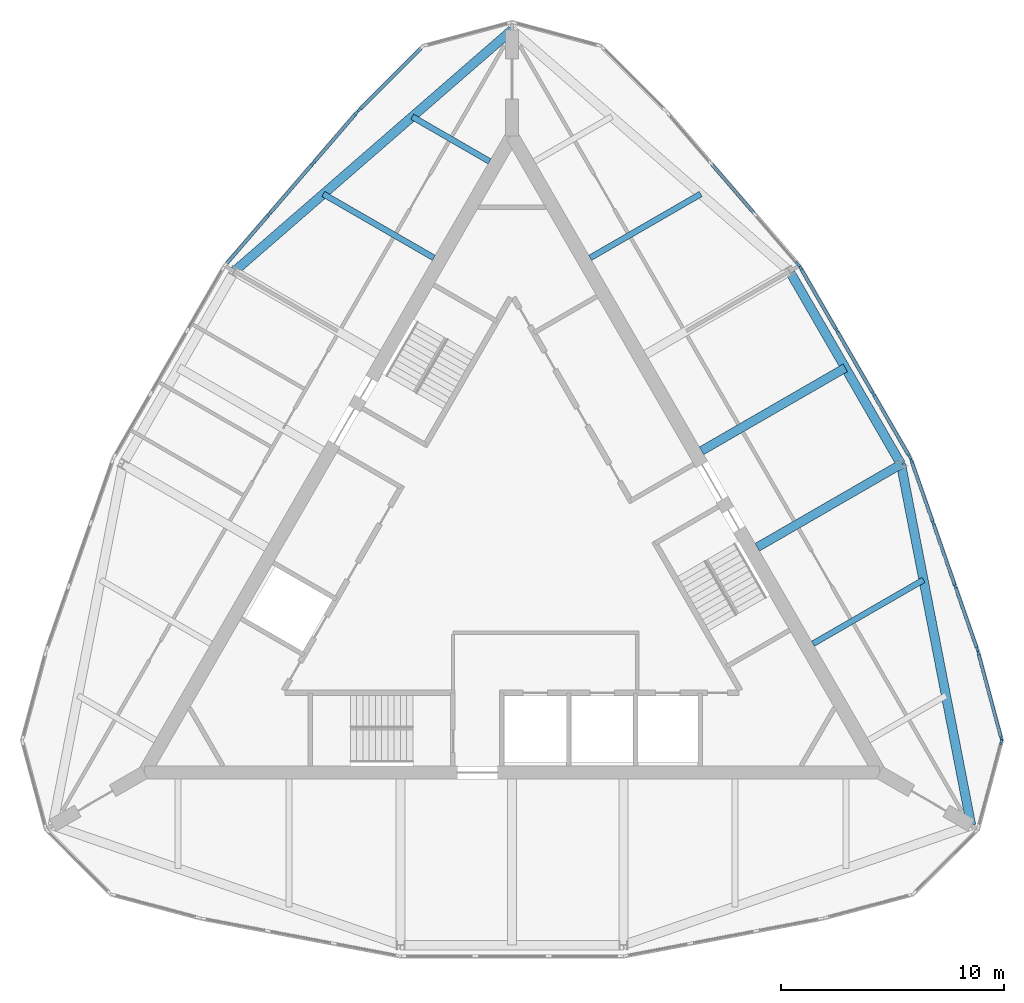
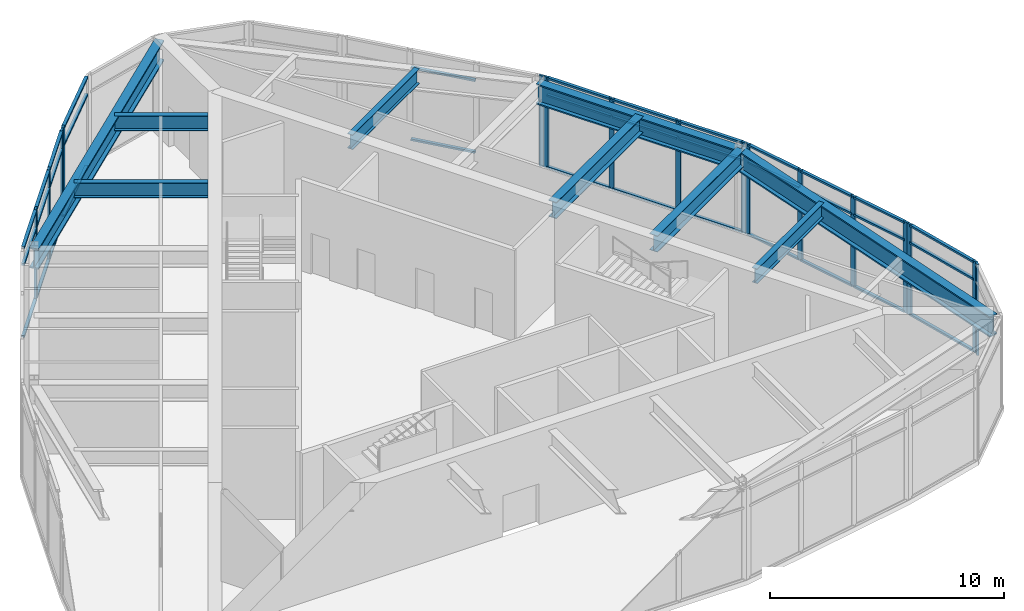
# One storey, part 3 of 9: 51 members, 9 beams, 7 elements without a shape of their own.
"""IFC4 building model written with IfcOpenShell, lengths in metres."""

from ifc_helpers import new_model, si_unit, direction, frame, origin, origin_2d, place, context, subcontext, project, spatial, rectangle, i_section, extrude, material, material_profile, profile_set, type_object, element, aggregate, save


model = new_model("IFC4")

# Units and contexts
model_context = context("Model", 3, precision=1e-05, world=origin(), true_north=direction((0.0, 1.0)))
body_context = subcontext(model_context, "Body", "Model", "MODEL_VIEW")
ifc_project = project(units=[si_unit("LENGTHUNIT", "METRE"), si_unit("AREAUNIT", "SQUARE_METRE"), si_unit("VOLUMEUNIT", "CUBIC_METRE"), si_unit("PLANEANGLEUNIT", "RADIAN"), si_unit("MASSUNIT", "GRAM", prefix="KILO")], contexts=[model_context])

# Site, building, storey
site_placement = place(None, origin())
site = spatial("IfcSite", under=ifc_project, at=site_placement, CompositionType="ELEMENT")
building_placement = place(site_placement, origin())
building = spatial("IfcBuilding", under=site, at=building_placement, Name="Trikona Tower", CompositionType="ELEMENT")
storey_placement = place(building_placement, frame((0.0, 0.0, 292.800048828125)))
storey = spatial("IfcBuildingStorey", under=building, at=storey_placement, Name="L76", CompositionType="ELEMENT", Elevation=292.800048828125)

# Curtain wall, member
ifc_material_1 = material(Name="Aluminium curtain wall system", Category="aluminium")
curtain_wall_type = type_object("IfcCurtainWallType", Name="Curtain wall OB", PredefinedType="NOTDEFINED", material=ifc_material_1)
curtain_wall_1_placement = place(storey_placement, origin())
curtain_wall_1 = element("IfcCurtainWall", 1, at=curtain_wall_1_placement, inside=storey, type_object=curtain_wall_type, Name="Curtain wall OB L76", PredefinedType="NOTDEFINED")
ifc_material_2 = material(Name="Aluminium mullion, pale anodised", Category="aluminium")
ifc_material_profile_1 = material_profile(ifc_material_2, rectangle(XDim=0.10009765625, YDim=0.25, at=origin_2d()), Name="MUL-OB")
ifc_profile_set_1 = profile_set([ifc_material_profile_1], Name="Aluminium mullion, pale anodised")
member_type_1 = type_object("IfcMemberType", Name="Mullion OB 100x250", PredefinedType="MULLION", material=ifc_profile_set_1)
member_1_placement = place(storey_placement, frame((21.957763671875, -8.163330078125, 0.0), z_axis=(0.0, 0.0, 1.0), x_axis=(-0.965923448705, 0.258827918204, 0.0)))
member_1 = element("IfcMember", 2, at=member_1_placement, type_object=member_type_1, Name="CW-OB mullion 2", PredefinedType="MULLION", context=body_context, shape_type="SweptSolid", body=[
    extrude(rectangle(XDim=0.10009765625, YDim=0.25, at=origin_2d()), origin(), (0.0, 0.0, 1.0), 4.75),
])
aggregate(curtain_wall_1, [member_1])

# Curtain wall, members
curtain_wall_2_placement = place(storey_placement, origin())
curtain_wall_2 = element("IfcCurtainWall", 3, at=curtain_wall_2_placement, inside=storey, type_object=curtain_wall_type, Name="Curtain wall OB L76", PredefinedType="NOTDEFINED")
member_2_placement = place(storey_placement, frame((21.957763671875, -8.00244140625, 0.0), z_axis=(0.0, 0.0, 1.0), x_axis=(-0.965921800259, -0.258834069983, 0.0)))
member_2 = element("IfcMember", 4, at=member_2_placement, type_object=member_type_1, Name="CW-OB mullion 1", PredefinedType="MULLION", context=body_context, shape_type="SweptSolid", body=[
    extrude(rectangle(XDim=0.10009765625, YDim=0.25, at=origin_2d()), origin(), (0.0, 0.0, 1.0), 4.75),
])
member_3_placement = place(storey_placement, frame((20.931884765625, -4.173583984375, 0.0), z_axis=(0.0, 0.0, 1.0), x_axis=(-0.965921800259, -0.258834069983, 0.0)))
member_3 = element("IfcMember", 5, at=member_3_placement, type_object=member_type_1, Name="CW-OB mullion 2", PredefinedType="MULLION", context=body_context, shape_type="SweptSolid", body=[
    extrude(rectangle(XDim=0.10009765625, YDim=0.25, at=origin_2d()), origin(), (0.0, 0.0, 1.0), 4.75),
])

curtain_wall_3_placement = place(storey_placement, origin())
curtain_wall_3 = element("IfcCurtainWall", 6, at=curtain_wall_3_placement, inside=storey, type_object=curtain_wall_type, Name="Curtain wall OB L76", PredefinedType="NOTDEFINED")
member_4_placement = place(storey_placement, frame((20.869384765625, -3.970703125, 0.0), z_axis=(0.0, 0.0, 1.0), x_axis=(-0.944137368145, -0.329552165935, 0.0)))
member_4 = element("IfcMember", 7, at=member_4_placement, type_object=member_type_1, Name="CW-OB mullion 1", PredefinedType="MULLION", context=body_context, shape_type="SweptSolid", body=[
    extrude(rectangle(XDim=0.10009765625, YDim=0.25, at=origin_2d()), origin(), (0.0, 0.0, 1.0), 4.75),
])
member_5_placement = place(storey_placement, frame((19.892578125, -1.17236328125, 0.0), z_axis=(0.0, 0.0, 1.0), x_axis=(-0.944137368145, -0.329552165935, 0.0)))
member_5 = element("IfcMember", 8, at=member_5_placement, type_object=member_type_1, Name="CW-OB mullion 2", PredefinedType="MULLION", context=body_context, shape_type="SweptSolid", body=[
    extrude(rectangle(XDim=0.10009765625, YDim=0.25, at=origin_2d()), origin(), (0.0, 0.0, 1.0), 4.75),
])
member_6_placement = place(storey_placement, frame((18.8994140625, 1.6728515625, 0.0), z_axis=(0.0, 0.0, 1.0), x_axis=(-0.944137368145, -0.329552165935, 0.0)))
member_6 = element("IfcMember", 9, at=member_6_placement, type_object=member_type_1, Name="CW-OB mullion 3", PredefinedType="MULLION", context=body_context, shape_type="SweptSolid", body=[
    extrude(rectangle(XDim=0.10009765625, YDim=0.25, at=origin_2d()), origin(), (0.0, 0.0, 1.0), 4.75),
])
member_7_placement = place(storey_placement, frame((17.9228515625, 4.470947265625, 0.0), z_axis=(0.0, 0.0, 1.0), x_axis=(-0.944137368145, -0.329552165935, 0.0)))
member_7 = element("IfcMember", 10, at=member_7_placement, type_object=member_type_1, Name="CW-OB mullion 4", PredefinedType="MULLION", context=body_context, shape_type="SweptSolid", body=[
    extrude(rectangle(XDim=0.10009765625, YDim=0.25, at=origin_2d()), origin(), (0.0, 0.0, 1.0), 4.75),
])

curtain_wall_4_placement = place(storey_placement, origin())
curtain_wall_4 = element("IfcCurtainWall", 11, at=curtain_wall_4_placement, inside=storey, type_object=curtain_wall_type, Name="Curtain wall OB L76", PredefinedType="NOTDEFINED")
member_8_placement = place(storey_placement, frame((17.83935546875, 4.653076171875, 0.0), z_axis=(0.0, 0.0, 1.0), x_axis=(-0.866022089219, -0.500005740951, 0.0)))
member_8 = element("IfcMember", 12, at=member_8_placement, type_object=member_type_1, Name="CW-OB mullion 1", PredefinedType="MULLION", context=body_context, shape_type="SweptSolid", body=[
    extrude(rectangle(XDim=0.10009765625, YDim=0.25, at=origin_2d()), origin(), (0.0, 0.0, 1.0), 4.75),
])
member_9_placement = place(storey_placement, frame((16.217529296875, 7.4619140625, 0.0), z_axis=(0.0, 0.0, 1.0), x_axis=(-0.866022089219, -0.500005740951, 0.0)))
member_9 = element("IfcMember", 13, at=member_9_placement, type_object=member_type_1, Name="CW-OB mullion 2", PredefinedType="MULLION", context=body_context, shape_type="SweptSolid", body=[
    extrude(rectangle(XDim=0.10009765625, YDim=0.25, at=origin_2d()), origin(), (0.0, 0.0, 1.0), 4.75),
])
member_10_placement = place(storey_placement, frame((14.571044921875, 10.31396484375, 0.0), z_axis=(0.0, 0.0, 1.0), x_axis=(-0.866022089219, -0.500005740951, 0.0)))
member_10 = element("IfcMember", 14, at=member_10_placement, type_object=member_type_1, Name="CW-OB mullion 3", PredefinedType="MULLION", context=body_context, shape_type="SweptSolid", body=[
    extrude(rectangle(XDim=0.10009765625, YDim=0.25, at=origin_2d()), origin(), (0.0, 0.0, 1.0), 4.75),
])
member_11_placement = place(storey_placement, frame((12.94921875, 13.122802734375, 0.0), z_axis=(0.0, 0.0, 1.0), x_axis=(-0.866022089219, -0.500005740951, 0.0)))
member_11 = element("IfcMember", 15, at=member_11_placement, type_object=member_type_1, Name="CW-OB mullion 4", PredefinedType="MULLION", context=body_context, shape_type="SweptSolid", body=[
    extrude(rectangle(XDim=0.10009765625, YDim=0.25, at=origin_2d()), origin(), (0.0, 0.0, 1.0), 4.75),
])

# Curtain wall, member
curtain_wall_5_placement = place(storey_placement, origin())
curtain_wall_5 = element("IfcCurtainWall", 16, at=curtain_wall_5_placement, inside=storey, type_object=curtain_wall_type, Name="Curtain wall OB L76", PredefinedType="NOTDEFINED")
member_12_placement = place(storey_placement, frame((12.833251953125, 13.2861328125, 0.0), z_axis=(0.0, 0.0, 1.0), x_axis=(-0.757475219973, -0.652863914707, 0.0)))
member_12 = element("IfcMember", 17, at=member_12_placement, type_object=member_type_1, Name="CW-OB mullion 1", PredefinedType="MULLION", context=body_context, shape_type="SweptSolid", body=[
    extrude(rectangle(XDim=0.10009765625, YDim=0.25, at=origin_2d()), origin(), (0.0, 0.0, 1.0), 4.75),
])

curtain_wall_6_placement = place(storey_placement, origin())
curtain_wall_6 = element("IfcCurtainWall", 18, at=curtain_wall_6_placement, inside=storey, type_object=curtain_wall_type, Name="Curtain wall OB L76", PredefinedType="NOTDEFINED")
member_13_placement = place(storey_placement, frame((-6.8515625, 20.21435546875, 0.0), z_axis=(0.0, 0.0, 1.0), x_axis=(0.707106781187, -0.707106781187, 0.0)))
member_13 = element("IfcMember", 19, at=member_13_placement, type_object=member_type_1, Name="CW-OB mullion 2", PredefinedType="MULLION", context=body_context, shape_type="SweptSolid", body=[
    extrude(rectangle(XDim=0.10009765625, YDim=0.25, at=origin_2d()), origin(), (0.0, 0.0, 1.0), 4.75),
])

# Curtain wall, members
curtain_wall_7_placement = place(storey_placement, origin())
curtain_wall_7 = element("IfcCurtainWall", 20, at=curtain_wall_7_placement, inside=storey, type_object=curtain_wall_type, Name="Curtain wall OB L76", PredefinedType="NOTDEFINED")
member_14_placement = place(storey_placement, frame((-6.99609375, 20.058837890625, 0.0), z_axis=(0.0, 0.0, 1.0), x_axis=(0.757475219973, -0.652863914707, 0.0)))
member_14 = element("IfcMember", 21, at=member_14_placement, type_object=member_type_1, Name="CW-OB mullion 1", PredefinedType="MULLION", context=body_context, shape_type="SweptSolid", body=[
    extrude(rectangle(XDim=0.10009765625, YDim=0.25, at=origin_2d()), origin(), (0.0, 0.0, 1.0), 4.75),
])
member_15_placement = place(storey_placement, frame((-8.930908203125, 17.813720703125, 0.0), z_axis=(0.0, 0.0, 1.0), x_axis=(0.757475219973, -0.652863914707, 0.0)))
member_15 = element("IfcMember", 22, at=member_15_placement, type_object=member_type_1, Name="CW-OB mullion 2", PredefinedType="MULLION", context=body_context, shape_type="SweptSolid", body=[
    extrude(rectangle(XDim=0.10009765625, YDim=0.25, at=origin_2d()), origin(), (0.0, 0.0, 1.0), 4.75),
])
member_16_placement = place(storey_placement, frame((-10.8984375, 15.531005859375, 0.0), z_axis=(0.0, 0.0, 1.0), x_axis=(0.757475219973, -0.652863914707, 0.0)))
member_16 = element("IfcMember", 23, at=member_16_placement, type_object=member_type_1, Name="CW-OB mullion 3", PredefinedType="MULLION", context=body_context, shape_type="SweptSolid", body=[
    extrude(rectangle(XDim=0.10009765625, YDim=0.25, at=origin_2d()), origin(), (0.0, 0.0, 1.0), 4.75),
])

# Beams
ifc_material_3 = material(Name="Steel ASTM A992 Grade 50", Category="steel")
ifc_material_profile_2 = material_profile(ifc_material_3, i_section(OverallWidth=0.2666015625, OverallDepth=0.76953125, WebThickness=0.015625, FlangeThickness=0.025390625, at=origin_2d()), Name="W30X132")
ifc_profile_set_2 = profile_set([ifc_material_profile_2], Name="Steel ASTM A992 Grade 50")
beam_type_1 = type_object("IfcBeamType", Name="Steel beam W30x132 (wedge)", PredefinedType="BEAM", material=ifc_profile_set_2)
for number, where, z_axis, x_axis, name in (
    (24, (13.509765625, -3.7470703125, 4.365234375), (0.866025872957, 0.499999187369, 0.0), (-0.499999187369, 0.866025872957, 0.0), "Floor beam L77 F2 u-10"),
    (25, (3.509765625, 13.573486328125, 4.365234375), (0.866044330199, 0.499967217055, 0.0), (-0.499967217055, 0.866044330199, 0.0), "Floor beam L77 F2 u10"),
):
    element("IfcBeam", number, at=place(storey_placement, frame(where, z_axis=z_axis, x_axis=x_axis)), inside=storey, type_object=beam_type_1, Name=name, PredefinedType="BEAM", context=body_context, shape_type="SweptSolid", body=[
        extrude(i_section(OverallWidth=0.2666015625, OverallDepth=0.76953125, WebThickness=0.015625, FlangeThickness=0.025390625, at=origin_2d()), origin(), (0.0, 0.0, 1.0), 5.7275390625),
    ])
beam_1_placement = place(storey_placement, frame((-1.009765625, 17.903564453125, 4.365234375), z_axis=(-0.866025209122, 0.500000337164, 0.0), x_axis=(-0.500000337164, -0.866025209122, 0.0)))
element("IfcBeam", 26, at=beam_1_placement, inside=storey, type_object=beam_type_1, Name="Floor beam L77 F3 u-15", PredefinedType="BEAM", context=body_context, shape_type="SweptSolid", body=[
    extrude(i_section(OverallWidth=0.2666015625, OverallDepth=0.76953125, WebThickness=0.015625, FlangeThickness=0.025390625, at=origin_2d()), origin(), (0.0, 0.0, 1.0), 4.00537109375),
])
beam_2_placement = place(storey_placement, frame((-3.509765625, 13.573486328125, 4.365234375), z_axis=(-0.866044330199, 0.499967217055, 0.0), x_axis=(-0.499967217055, -0.866044330199, 0.0)))
element("IfcBeam", 27, at=beam_2_placement, inside=storey, type_object=beam_type_1, Name="Floor beam L77 F3 u-10", PredefinedType="BEAM", context=body_context, shape_type="SweptSolid", body=[
    extrude(i_section(OverallWidth=0.2666015625, OverallDepth=0.76953125, WebThickness=0.015625, FlangeThickness=0.025390625, at=origin_2d()), origin(), (0.0, 0.0, 1.0), 5.7275390625),
])
ifc_material_4 = material(Name="Steel ASTM A992 Grade 50", Category="steel")
ifc_material_profile_3 = material_profile(ifc_material_4, i_section(OverallWidth=0.398681640625, OverallDepth=0.85595703125, WebThickness=0.01806640625, FlangeThickness=0.029296875, at=origin_2d()), Name="W33X201")
ifc_profile_set_3 = profile_set([ifc_material_profile_3], Name="Steel ASTM A992 Grade 50")
beam_type_2 = type_object("IfcBeamType", Name="Steel beam W33x201 (top)", PredefinedType="BEAM", material=ifc_profile_set_3)
for number, where, z_axis, x_axis, name in (
    (28, (11.009765625, 0.5830078125, 4.322021484375), (0.866018036629, 0.50001276007, 0.0), (-0.50001276007, 0.866018036629, 0.0), "Floor beam L77 F2 u-5"),
    (29, (8.509765625, 4.9130859375, 4.322021484375), (0.866018036629, 0.50001276007, 0.0), (-0.50001276007, 0.866018036629, 0.0), "Floor beam L77 F2 u0"),
):
    element("IfcBeam", number, at=place(storey_placement, frame(where, z_axis=z_axis, x_axis=x_axis)), inside=storey, type_object=beam_type_2, Name=name, PredefinedType="BEAM", context=body_context, shape_type="SweptSolid", body=[
        extrude(i_section(OverallWidth=0.398681640625, OverallDepth=0.85595703125, WebThickness=0.01806640625, FlangeThickness=0.029296875, at=origin_2d()), origin(), (0.0, 0.0, 1.0), 7.449462890625),
    ])
ifc_material_5 = material(Name="Steel ASTM A992 Grade 50", Category="steel")
ifc_material_profile_4 = material_profile(ifc_material_5, i_section(OverallWidth=0.41650390625, OverallDepth=1.0693359375, WebThickness=0.0390625, FlangeThickness=0.070068359375, at=origin_2d()), Name="W40X503")
ifc_profile_set_4 = profile_set([ifc_material_profile_4], Name="Steel ASTM A992 Grade 50")
beam_type_3 = type_object("IfcBeamType", Name="Steel beam W40x503 (crown spandrel)", PredefinedType="SPANDREL", material=ifc_profile_set_4)
beam_3_placement = place(storey_placement, frame((20.6103515625, -11.8994140625, 4.21533203125), z_axis=(-0.190738651496, 0.981640854297, 0.0), x_axis=(-0.981640854297, -0.190738651496, 0.0)))
element("IfcBeam", 30, at=beam_3_placement, inside=storey, type_object=beam_type_3, Name="Spandrel beam L77 F2-1", PredefinedType="SPANDREL", context=body_context, shape_type="SweptSolid", body=[
    extrude(i_section(OverallWidth=0.41650390625, OverallDepth=1.0693359375, WebThickness=0.0390625, FlangeThickness=0.070068359375, at=origin_2d()), origin(), (0.0, 0.0, 1.0), 16.510498046875),
])
beam_4_placement = place(storey_placement, frame((17.461181640625, 4.307861328125, 4.21533203125), z_axis=(-0.500004234368, 0.866022959057, 0.0), x_axis=(-0.866022959057, -0.500004234368, 0.0)))
element("IfcBeam", 31, at=beam_4_placement, inside=storey, type_object=beam_type_3, Name="Spandrel beam L77 F2-2", PredefinedType="SPANDREL", context=body_context, shape_type="SweptSolid", body=[
    extrude(i_section(OverallWidth=0.41650390625, OverallDepth=1.0693359375, WebThickness=0.0390625, FlangeThickness=0.070068359375, at=origin_2d()), origin(), (0.0, 0.0, 1.0), 10.0),
])
beam_5_placement = place(storey_placement, frame((0.0, 23.798583984375, 4.21533203125), z_axis=(-0.754762765652, -0.655997841144, 0.0), x_axis=(0.655997841144, -0.754762765652, 0.0)))
element("IfcBeam", 32, at=beam_5_placement, inside=storey, type_object=beam_type_3, Name="Spandrel beam L77 F3-1", PredefinedType="SPANDREL", context=body_context, shape_type="SweptSolid", body=[
    extrude(i_section(OverallWidth=0.41650390625, OverallDepth=1.0693359375, WebThickness=0.0390625, FlangeThickness=0.070068359375, at=origin_2d()), origin(), (0.0, 0.0, 1.0), 16.510009765625),
])

# Member
ifc_material_6 = material(Name="Aluminium transom, pale anodised", Category="aluminium")
ifc_material_profile_5 = material_profile(ifc_material_6, rectangle(XDim=0.14990234375, YDim=0.10009765625, at=origin_2d()), Name="TRN-OB")
ifc_profile_set_5 = profile_set([ifc_material_profile_5], Name="Aluminium transom, pale anodised")
member_type_2 = type_object("IfcMemberType", Name="Transom OB 100x150", PredefinedType="USERDEFINED", material=ifc_profile_set_5)
member_17_placement = place(storey_placement, frame((21.94482421875, -7.9541015625, 0.050048828125), z_axis=(-0.258810832585, 0.965928026789, 0.0), x_axis=(-0.965928026789, -0.258810832585, 0.0)))
member_17 = element("IfcMember", 33, at=member_17_placement, type_object=member_type_2, Name="CW-OB transom 1.1", ObjectType="TRANSOM", PredefinedType="USERDEFINED", context=body_context, shape_type="SweptSolid", body=[
    extrude(rectangle(XDim=0.14990234375, YDim=0.10009765625, at=origin_2d()), origin(), (0.0, 0.0, 1.0), 3.86376953125),
])

member_18_placement = place(storey_placement, frame((21.94482421875, -7.9541015625, 3.800048828125), z_axis=(-0.258810832585, 0.965928026789, 0.0), x_axis=(-0.965928026789, -0.258810832585, 0.0)))
member_18 = element("IfcMember", 34, at=member_18_placement, type_object=member_type_2, Name="CW-OB transom 1.2", ObjectType="TRANSOM", PredefinedType="USERDEFINED", context=body_context, shape_type="SweptSolid", body=[
    extrude(rectangle(XDim=0.14990234375, YDim=0.10009765625, at=origin_2d()), origin(), (0.0, 0.0, 1.0), 3.86376953125),
])

member_19_placement = place(storey_placement, frame((21.94482421875, -7.9541015625, 4.699951171875), z_axis=(-0.258810832585, 0.965928026789, 0.0), x_axis=(-0.965928026789, -0.258810832585, 0.0)))
member_19 = element("IfcMember", 35, at=member_19_placement, type_object=member_type_2, Name="CW-OB transom 1.3", ObjectType="TRANSOM", PredefinedType="USERDEFINED", context=body_context, shape_type="SweptSolid", body=[
    extrude(rectangle(XDim=0.14990234375, YDim=0.10009765625, at=origin_2d()), origin(), (0.0, 0.0, 1.0), 3.86376953125),
])

aggregate(curtain_wall_2, [member_2, member_3, member_17, member_18, member_19])

member_20_placement = place(storey_placement, frame((20.852783203125, -3.92333984375, 0.050048828125), z_axis=(-0.329522402008, 0.944147756749, 0.0), x_axis=(-0.944147756749, -0.329522402008, 0.0)))
member_20 = element("IfcMember", 36, at=member_20_placement, type_object=member_type_2, Name="CW-OB transom 1.1", ObjectType="TRANSOM", PredefinedType="USERDEFINED", context=body_context, shape_type="SweptSolid", body=[
    extrude(rectangle(XDim=0.14990234375, YDim=0.10009765625, at=origin_2d()), origin(), (0.0, 0.0, 1.0), 2.863525390625),
])

member_21_placement = place(storey_placement, frame((20.852783203125, -3.92333984375, 3.800048828125), z_axis=(-0.329522402008, 0.944147756749, 0.0), x_axis=(-0.944147756749, -0.329522402008, 0.0)))
member_21 = element("IfcMember", 37, at=member_21_placement, type_object=member_type_2, Name="CW-OB transom 1.2", ObjectType="TRANSOM", PredefinedType="USERDEFINED", context=body_context, shape_type="SweptSolid", body=[
    extrude(rectangle(XDim=0.14990234375, YDim=0.10009765625, at=origin_2d()), origin(), (0.0, 0.0, 1.0), 2.863525390625),
])

member_22_placement = place(storey_placement, frame((20.852783203125, -3.92333984375, 4.699951171875), z_axis=(-0.329522402008, 0.944147756749, 0.0), x_axis=(-0.944147756749, -0.329522402008, 0.0)))
member_22 = element("IfcMember", 38, at=member_22_placement, type_object=member_type_2, Name="CW-OB transom 1.3", ObjectType="TRANSOM", PredefinedType="USERDEFINED", context=body_context, shape_type="SweptSolid", body=[
    extrude(rectangle(XDim=0.14990234375, YDim=0.10009765625, at=origin_2d()), origin(), (0.0, 0.0, 1.0), 2.863525390625),
])

member_23_placement = place(storey_placement, frame((19.876220703125, -1.125244140625, 0.050048828125), z_axis=(-0.329544133465, 0.944140171849, 0.0), x_axis=(-0.944140171849, -0.329544133465, 0.0)))
member_23 = element("IfcMember", 39, at=member_23_placement, type_object=member_type_2, Name="CW-OB transom 2.1", ObjectType="TRANSOM", PredefinedType="USERDEFINED", context=body_context, shape_type="SweptSolid", body=[
    extrude(rectangle(XDim=0.14990234375, YDim=0.10009765625, at=origin_2d()), origin(), (0.0, 0.0, 1.0), 2.913818359375),
])

member_24_placement = place(storey_placement, frame((19.876220703125, -1.125244140625, 3.800048828125), z_axis=(-0.329544133465, 0.944140171849, 0.0), x_axis=(-0.944140171849, -0.329544133465, 0.0)))
member_24 = element("IfcMember", 40, at=member_24_placement, type_object=member_type_2, Name="CW-OB transom 2.2", ObjectType="TRANSOM", PredefinedType="USERDEFINED", context=body_context, shape_type="SweptSolid", body=[
    extrude(rectangle(XDim=0.14990234375, YDim=0.10009765625, at=origin_2d()), origin(), (0.0, 0.0, 1.0), 2.913818359375),
])

member_25_placement = place(storey_placement, frame((19.876220703125, -1.125244140625, 4.699951171875), z_axis=(-0.329544133465, 0.944140171849, 0.0), x_axis=(-0.944140171849, -0.329544133465, 0.0)))
member_25 = element("IfcMember", 41, at=member_25_placement, type_object=member_type_2, Name="CW-OB transom 2.3", ObjectType="TRANSOM", PredefinedType="USERDEFINED", context=body_context, shape_type="SweptSolid", body=[
    extrude(rectangle(XDim=0.14990234375, YDim=0.10009765625, at=origin_2d()), origin(), (0.0, 0.0, 1.0), 2.913818359375),
])

member_26_placement = place(storey_placement, frame((18.883056640625, 1.719970703125, 0.050048828125), z_axis=(-0.329571871193, 0.944130489773, 0.0), x_axis=(-0.944130489773, -0.329571871193, 0.0)))
member_26 = element("IfcMember", 42, at=member_26_placement, type_object=member_type_2, Name="CW-OB transom 3.1", ObjectType="TRANSOM", PredefinedType="USERDEFINED", context=body_context, shape_type="SweptSolid", body=[
    extrude(rectangle(XDim=0.14990234375, YDim=0.10009765625, at=origin_2d()), origin(), (0.0, 0.0, 1.0), 2.86376953125),
])

member_27_placement = place(storey_placement, frame((18.883056640625, 1.719970703125, 3.800048828125), z_axis=(-0.329571871193, 0.944130489773, 0.0), x_axis=(-0.944130489773, -0.329571871193, 0.0)))
member_27 = element("IfcMember", 43, at=member_27_placement, type_object=member_type_2, Name="CW-OB transom 3.2", ObjectType="TRANSOM", PredefinedType="USERDEFINED", context=body_context, shape_type="SweptSolid", body=[
    extrude(rectangle(XDim=0.14990234375, YDim=0.10009765625, at=origin_2d()), origin(), (0.0, 0.0, 1.0), 2.86376953125),
])

member_28_placement = place(storey_placement, frame((18.883056640625, 1.719970703125, 4.699951171875), z_axis=(-0.329571871193, 0.944130489773, 0.0), x_axis=(-0.944130489773, -0.329571871193, 0.0)))
member_28 = element("IfcMember", 44, at=member_28_placement, type_object=member_type_2, Name="CW-OB transom 3.3", ObjectType="TRANSOM", PredefinedType="USERDEFINED", context=body_context, shape_type="SweptSolid", body=[
    extrude(rectangle(XDim=0.14990234375, YDim=0.10009765625, at=origin_2d()), origin(), (0.0, 0.0, 1.0), 2.86376953125),
])

aggregate(curtain_wall_3, [member_4, member_5, member_6, member_7, member_20, member_21, member_22, member_23, member_24, member_25, member_26, member_27, member_28])

member_29_placement = place(storey_placement, frame((17.814208984375, 4.6962890625, 0.050048828125), z_axis=(-0.499973465047, 0.866040723205, 0.0), x_axis=(-0.866040723205, -0.499973465047, 0.0)))
member_29 = element("IfcMember", 45, at=member_29_placement, type_object=member_type_2, Name="CW-OB transom 1.1", ObjectType="TRANSOM", PredefinedType="USERDEFINED", context=body_context, shape_type="SweptSolid", body=[
    extrude(rectangle(XDim=0.14990234375, YDim=0.10009765625, at=origin_2d()), origin(), (0.0, 0.0, 1.0), 3.143310546875),
])

member_30_placement = place(storey_placement, frame((17.814208984375, 4.6962890625, 3.800048828125), z_axis=(-0.499973465047, 0.866040723205, 0.0), x_axis=(-0.866040723205, -0.499973465047, 0.0)))
member_30 = element("IfcMember", 46, at=member_30_placement, type_object=member_type_2, Name="CW-OB transom 1.2", ObjectType="TRANSOM", PredefinedType="USERDEFINED", context=body_context, shape_type="SweptSolid", body=[
    extrude(rectangle(XDim=0.14990234375, YDim=0.10009765625, at=origin_2d()), origin(), (0.0, 0.0, 1.0), 3.143310546875),
])

member_31_placement = place(storey_placement, frame((17.814208984375, 4.6962890625, 4.699951171875), z_axis=(-0.499973465047, 0.866040723205, 0.0), x_axis=(-0.866040723205, -0.499973465047, 0.0)))
member_31 = element("IfcMember", 47, at=member_31_placement, type_object=member_type_2, Name="CW-OB transom 1.3", ObjectType="TRANSOM", PredefinedType="USERDEFINED", context=body_context, shape_type="SweptSolid", body=[
    extrude(rectangle(XDim=0.14990234375, YDim=0.10009765625, at=origin_2d()), origin(), (0.0, 0.0, 1.0), 3.143310546875),
])

member_32_placement = place(storey_placement, frame((16.192626953125, 7.505126953125, 0.050048828125), z_axis=(-0.499987164874, 0.866032814021, 0.0), x_axis=(-0.866032814021, -0.499987164874, 0.0)))
member_32 = element("IfcMember", 48, at=member_32_placement, type_object=member_type_2, Name="CW-OB transom 2.1", ObjectType="TRANSOM", PredefinedType="USERDEFINED", context=body_context, shape_type="SweptSolid", body=[
    extrude(rectangle(XDim=0.14990234375, YDim=0.10009765625, at=origin_2d()), origin(), (0.0, 0.0, 1.0), 3.193359375),
])

member_33_placement = place(storey_placement, frame((16.192626953125, 7.505126953125, 3.800048828125), z_axis=(-0.499987164874, 0.866032814021, 0.0), x_axis=(-0.866032814021, -0.499987164874, 0.0)))
member_33 = element("IfcMember", 49, at=member_33_placement, type_object=member_type_2, Name="CW-OB transom 2.2", ObjectType="TRANSOM", PredefinedType="USERDEFINED", context=body_context, shape_type="SweptSolid", body=[
    extrude(rectangle(XDim=0.14990234375, YDim=0.10009765625, at=origin_2d()), origin(), (0.0, 0.0, 1.0), 3.193359375),
])

member_34_placement = place(storey_placement, frame((16.192626953125, 7.505126953125, 4.699951171875), z_axis=(-0.499987164874, 0.866032814021, 0.0), x_axis=(-0.866032814021, -0.499987164874, 0.0)))
member_34 = element("IfcMember", 50, at=member_34_placement, type_object=member_type_2, Name="CW-OB transom 2.3", ObjectType="TRANSOM", PredefinedType="USERDEFINED", context=body_context, shape_type="SweptSolid", body=[
    extrude(rectangle(XDim=0.14990234375, YDim=0.10009765625, at=origin_2d()), origin(), (0.0, 0.0, 1.0), 3.193359375),
])

member_35_placement = place(storey_placement, frame((14.5458984375, 10.357177734375, 0.050048828125), z_axis=(-0.499973465047, 0.866040723205, 0.0), x_axis=(-0.866040723205, -0.499973465047, 0.0)))
member_35 = element("IfcMember", 51, at=member_35_placement, type_object=member_type_2, Name="CW-OB transom 3.1", ObjectType="TRANSOM", PredefinedType="USERDEFINED", context=body_context, shape_type="SweptSolid", body=[
    extrude(rectangle(XDim=0.14990234375, YDim=0.10009765625, at=origin_2d()), origin(), (0.0, 0.0, 1.0), 3.143310546875),
])

member_36_placement = place(storey_placement, frame((14.5458984375, 10.357177734375, 3.800048828125), z_axis=(-0.499973465047, 0.866040723205, 0.0), x_axis=(-0.866040723205, -0.499973465047, 0.0)))
member_36 = element("IfcMember", 52, at=member_36_placement, type_object=member_type_2, Name="CW-OB transom 3.2", ObjectType="TRANSOM", PredefinedType="USERDEFINED", context=body_context, shape_type="SweptSolid", body=[
    extrude(rectangle(XDim=0.14990234375, YDim=0.10009765625, at=origin_2d()), origin(), (0.0, 0.0, 1.0), 3.143310546875),
])

member_37_placement = place(storey_placement, frame((14.5458984375, 10.357177734375, 4.699951171875), z_axis=(-0.499973465047, 0.866040723205, 0.0), x_axis=(-0.866040723205, -0.499973465047, 0.0)))
member_37 = element("IfcMember", 53, at=member_37_placement, type_object=member_type_2, Name="CW-OB transom 3.3", ObjectType="TRANSOM", PredefinedType="USERDEFINED", context=body_context, shape_type="SweptSolid", body=[
    extrude(rectangle(XDim=0.14990234375, YDim=0.10009765625, at=origin_2d()), origin(), (0.0, 0.0, 1.0), 3.143310546875),
])

aggregate(curtain_wall_4, [member_8, member_9, member_10, member_11, member_29, member_30, member_31, member_32, member_33, member_34, member_35, member_36, member_37])

member_38_placement = place(storey_placement, frame((10.86572265625, 15.56884765625, 0.050048828125), z_axis=(-0.652838503386, 0.757497121115, 0.0), x_axis=(-0.757497121115, -0.652838503386, 0.0)))
member_38 = element("IfcMember", 54, at=member_38_placement, type_object=member_type_2, Name="CW-OB transom 2.1", ObjectType="TRANSOM", PredefinedType="USERDEFINED", context=body_context, shape_type="SweptSolid", body=[
    extrude(rectangle(XDim=0.14990234375, YDim=0.10009765625, at=origin_2d()), origin(), (0.0, 0.0, 1.0), 2.91357421875),
])

member_39_placement = place(storey_placement, frame((10.86572265625, 15.56884765625, 3.800048828125), z_axis=(-0.652838503386, 0.757497121115, 0.0), x_axis=(-0.757497121115, -0.652838503386, 0.0)))
member_39 = element("IfcMember", 55, at=member_39_placement, type_object=member_type_2, Name="CW-OB transom 2.2", ObjectType="TRANSOM", PredefinedType="USERDEFINED", context=body_context, shape_type="SweptSolid", body=[
    extrude(rectangle(XDim=0.14990234375, YDim=0.10009765625, at=origin_2d()), origin(), (0.0, 0.0, 1.0), 2.91357421875),
])

aggregate(curtain_wall_5, [member_12, member_38, member_39])

member_40_placement = place(storey_placement, frame((-4.083984375, 22.98193359375, 0.050048828125), z_axis=(-0.707106781187, -0.707106781187, 0.0), x_axis=(0.707106781187, -0.707106781187, 0.0)))
member_40 = element("IfcMember", 56, at=member_40_placement, type_object=member_type_2, Name="CW-OB transom 1.1", ObjectType="TRANSOM", PredefinedType="USERDEFINED", context=body_context, shape_type="SweptSolid", body=[
    extrude(rectangle(XDim=0.14990234375, YDim=0.10009765625, at=origin_2d()), origin(), (0.0, 0.0, 1.0), 3.86376953125),
])

member_41_placement = place(storey_placement, frame((-4.083984375, 22.98193359375, 3.800048828125), z_axis=(-0.707106781187, -0.707106781187, 0.0), x_axis=(0.707106781187, -0.707106781187, 0.0)))
member_41 = element("IfcMember", 57, at=member_41_placement, type_object=member_type_2, Name="CW-OB transom 1.2", ObjectType="TRANSOM", PredefinedType="USERDEFINED", context=body_context, shape_type="SweptSolid", body=[
    extrude(rectangle(XDim=0.14990234375, YDim=0.10009765625, at=origin_2d()), origin(), (0.0, 0.0, 1.0), 3.86376953125),
])

member_42_placement = place(storey_placement, frame((-4.083984375, 22.98193359375, 4.699951171875), z_axis=(-0.707106781187, -0.707106781187, 0.0), x_axis=(0.707106781187, -0.707106781187, 0.0)))
member_42 = element("IfcMember", 58, at=member_42_placement, type_object=member_type_2, Name="CW-OB transom 1.3", ObjectType="TRANSOM", PredefinedType="USERDEFINED", context=body_context, shape_type="SweptSolid", body=[
    extrude(rectangle(XDim=0.14990234375, YDim=0.10009765625, at=origin_2d()), origin(), (0.0, 0.0, 1.0), 3.86376953125),
])

aggregate(curtain_wall_6, [member_13, member_40, member_41, member_42])

member_43_placement = place(storey_placement, frame((-7.028564453125, 20.020751953125, 0.050048828125), z_axis=(-0.65286710173, -0.757472473083, 0.0), x_axis=(0.757472473083, -0.65286710173, 0.0)))
member_43 = element("IfcMember", 59, at=member_43_placement, type_object=member_type_2, Name="CW-OB transom 1.1", ObjectType="TRANSOM", PredefinedType="USERDEFINED", context=body_context, shape_type="SweptSolid", body=[
    extrude(rectangle(XDim=0.14990234375, YDim=0.10009765625, at=origin_2d()), origin(), (0.0, 0.0, 1.0), 2.86376953125),
])

member_44_placement = place(storey_placement, frame((-7.028564453125, 20.020751953125, 3.800048828125), z_axis=(-0.65286710173, -0.757472473083, 0.0), x_axis=(0.757472473083, -0.65286710173, 0.0)))
member_44 = element("IfcMember", 60, at=member_44_placement, type_object=member_type_2, Name="CW-OB transom 1.2", ObjectType="TRANSOM", PredefinedType="USERDEFINED", context=body_context, shape_type="SweptSolid", body=[
    extrude(rectangle(XDim=0.14990234375, YDim=0.10009765625, at=origin_2d()), origin(), (0.0, 0.0, 1.0), 2.86376953125),
])

member_45_placement = place(storey_placement, frame((-7.028564453125, 20.020751953125, 4.699951171875), z_axis=(-0.65286710173, -0.757472473083, 0.0), x_axis=(0.757472473083, -0.65286710173, 0.0)))
member_45 = element("IfcMember", 61, at=member_45_placement, type_object=member_type_2, Name="CW-OB transom 1.3", ObjectType="TRANSOM", PredefinedType="USERDEFINED", context=body_context, shape_type="SweptSolid", body=[
    extrude(rectangle(XDim=0.14990234375, YDim=0.10009765625, at=origin_2d()), origin(), (0.0, 0.0, 1.0), 2.86376953125),
])

member_46_placement = place(storey_placement, frame((-8.963623046875, 17.77587890625, 0.050048828125), z_axis=(-0.652838503386, -0.757497121115, 0.0), x_axis=(0.757497121115, -0.652838503386, 0.0)))
member_46 = element("IfcMember", 62, at=member_46_placement, type_object=member_type_2, Name="CW-OB transom 2.1", ObjectType="TRANSOM", PredefinedType="USERDEFINED", context=body_context, shape_type="SweptSolid", body=[
    extrude(rectangle(XDim=0.14990234375, YDim=0.10009765625, at=origin_2d()), origin(), (0.0, 0.0, 1.0), 2.91357421875),
])

member_47_placement = place(storey_placement, frame((-8.963623046875, 17.77587890625, 3.800048828125), z_axis=(-0.652838503386, -0.757497121115, 0.0), x_axis=(0.757497121115, -0.652838503386, 0.0)))
member_47 = element("IfcMember", 63, at=member_47_placement, type_object=member_type_2, Name="CW-OB transom 2.2", ObjectType="TRANSOM", PredefinedType="USERDEFINED", context=body_context, shape_type="SweptSolid", body=[
    extrude(rectangle(XDim=0.14990234375, YDim=0.10009765625, at=origin_2d()), origin(), (0.0, 0.0, 1.0), 2.91357421875),
])

member_48_placement = place(storey_placement, frame((-8.963623046875, 17.77587890625, 4.699951171875), z_axis=(-0.652838503386, -0.757497121115, 0.0), x_axis=(0.757497121115, -0.652838503386, 0.0)))
member_48 = element("IfcMember", 64, at=member_48_placement, type_object=member_type_2, Name="CW-OB transom 2.3", ObjectType="TRANSOM", PredefinedType="USERDEFINED", context=body_context, shape_type="SweptSolid", body=[
    extrude(rectangle(XDim=0.14990234375, YDim=0.10009765625, at=origin_2d()), origin(), (0.0, 0.0, 1.0), 2.91357421875),
])

member_49_placement = place(storey_placement, frame((-10.93115234375, 15.4931640625, 0.050048828125), z_axis=(-0.65286710173, -0.757472473083, 0.0), x_axis=(0.757472473083, -0.65286710173, 0.0)))
member_49 = element("IfcMember", 65, at=member_49_placement, type_object=member_type_2, Name="CW-OB transom 3.1", ObjectType="TRANSOM", PredefinedType="USERDEFINED", context=body_context, shape_type="SweptSolid", body=[
    extrude(rectangle(XDim=0.14990234375, YDim=0.10009765625, at=origin_2d()), origin(), (0.0, 0.0, 1.0), 2.86376953125),
])

member_50_placement = place(storey_placement, frame((-10.93115234375, 15.4931640625, 3.800048828125), z_axis=(-0.65286710173, -0.757472473083, 0.0), x_axis=(0.757472473083, -0.65286710173, 0.0)))
member_50 = element("IfcMember", 66, at=member_50_placement, type_object=member_type_2, Name="CW-OB transom 3.2", ObjectType="TRANSOM", PredefinedType="USERDEFINED", context=body_context, shape_type="SweptSolid", body=[
    extrude(rectangle(XDim=0.14990234375, YDim=0.10009765625, at=origin_2d()), origin(), (0.0, 0.0, 1.0), 2.86376953125),
])

member_51_placement = place(storey_placement, frame((-10.93115234375, 15.4931640625, 4.699951171875), z_axis=(-0.65286710173, -0.757472473083, 0.0), x_axis=(0.757472473083, -0.65286710173, 0.0)))
member_51 = element("IfcMember", 67, at=member_51_placement, type_object=member_type_2, Name="CW-OB transom 3.3", ObjectType="TRANSOM", PredefinedType="USERDEFINED", context=body_context, shape_type="SweptSolid", body=[
    extrude(rectangle(XDim=0.14990234375, YDim=0.10009765625, at=origin_2d()), origin(), (0.0, 0.0, 1.0), 2.86376953125),
])

aggregate(curtain_wall_7, [member_14, member_15, member_16, member_43, member_44, member_45, member_46, member_47, member_48, member_49, member_50, member_51])

save(model, "model.ifc")
